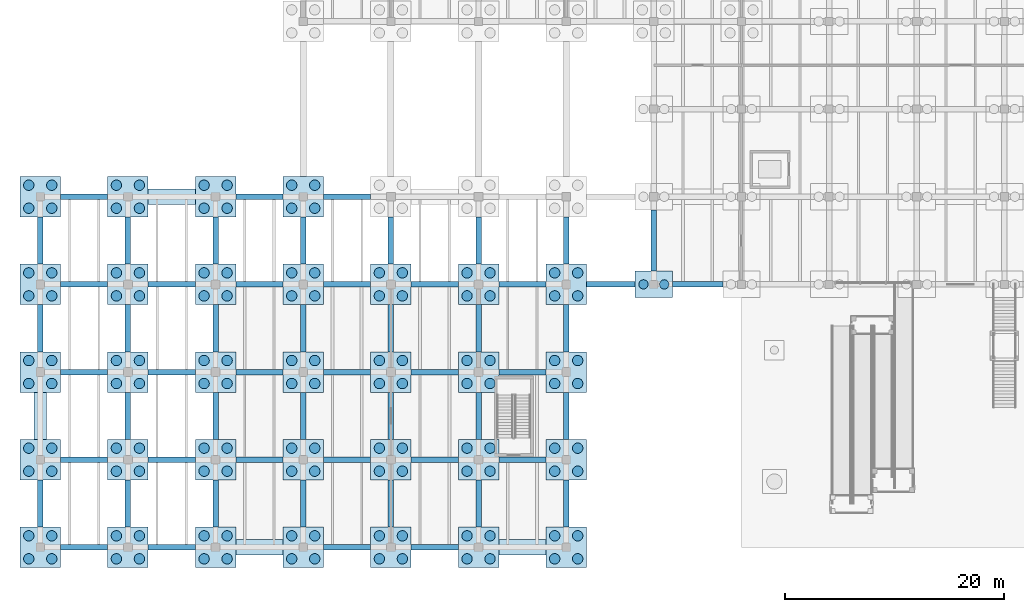
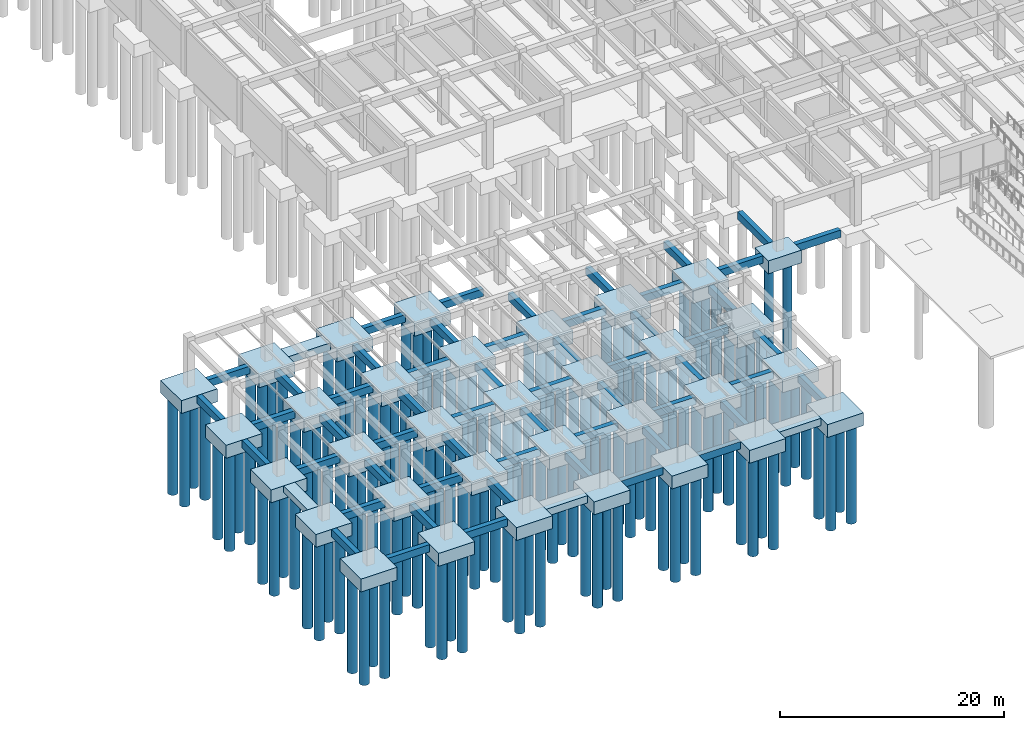
# One storey, part 1 of 44: 130 piles, 92 footings.
"""IFC4 building model written with IfcOpenShell, lengths in metres."""

from ifc_helpers import new_model, si_unit, direction, frame, origin, origin_2d, place, context, subcontext, project, spatial, rectangle, circle, extrude, material, material_profile, profile_set, type_object, element, save


model = new_model("IFC4")

# Units and contexts
model_context = context("Model", 3, precision=1e-05, world=origin(), true_north=direction((0.0, 1.0)))
body_context = subcontext(model_context, "Body", "Model", "MODEL_VIEW")
ifc_project = project(units=[si_unit("LENGTHUNIT", "METRE"), si_unit("AREAUNIT", "SQUARE_METRE"), si_unit("VOLUMEUNIT", "CUBIC_METRE"), si_unit("PLANEANGLEUNIT", "RADIAN"), si_unit("MASSUNIT", "GRAM", prefix="KILO")], contexts=[model_context])

# Site, building, storey
site_placement = place(None, origin())
site = spatial("IfcSite", under=ifc_project, at=site_placement, CompositionType="ELEMENT")
building_placement = place(site_placement, origin())
building = spatial("IfcBuilding", under=site, at=building_placement, Name="Pecanmere Concourse Central Library", CompositionType="ELEMENT")
storey_placement = place(building_placement, frame((0.0, 0.0, -5.39990234375)))
storey = spatial("IfcBuildingStorey", under=building, at=storey_placement, Name="B1", CompositionType="ELEMENT", Elevation=-5.39990234375)

# Footings
ifc_material_1 = material(Name="Concrete C40/50", Category="concrete")
ifc_material_profile_1 = material_profile(ifc_material_1, rectangle(XDim=0.5, YDim=0.800048828125, at=origin_2d()), Name="RC 500x800")
ifc_profile_set_1 = profile_set([ifc_material_profile_1], Name="Concrete C40/50")
footing_type_1 = type_object("IfcFootingType", Name="GBEAM_500x800", PredefinedType="FOOTING_BEAM", material=ifc_profile_set_1)
for number, where, z_axis, x_axis, name in (
    (1, (4.0, 0.0, -0.80029296875), (0.0, 0.0, 1.0), (1.0, 0.0, 0.0), "Foundation Tie Beam X-001"),
    (2, (12.0, 0.0, -0.80029296875), (0.0, 0.0, 1.0), (1.0, 0.0, 0.0), "Foundation Tie Beam X-002"),
    (3, (28.0, 0.0, -0.80029296875), (0.0, 0.0, 1.0), (1.0, 0.0, 0.0), "Foundation Tie Beam X-004"),
    (4, (36.0, 0.0, -0.80029296875), (0.0, 0.0, 1.0), (1.0, 0.0, 0.0), "Foundation Tie Beam X-005"),
    (5, (4.0, 8.0, -0.80029296875), (0.0, 0.0, 1.0), (1.0, 0.0, 0.0), "Foundation Tie Beam X-013"),
    (6, (12.0, 8.0, -0.80029296875), (0.0, 0.0, 1.0), (1.0, 0.0, 0.0), "Foundation Tie Beam X-014"),
    (7, (20.0, 8.0, -0.80029296875), (0.0, 0.0, 1.0), (1.0, 0.0, 0.0), "Foundation Tie Beam X-015"),
    (8, (28.0, 8.0, -0.80029296875), (0.0, 0.0, 1.0), (1.0, 0.0, 0.0), "Foundation Tie Beam X-016"),
    (9, (36.0, 8.0, -0.80029296875), (0.0, 0.0, 1.0), (1.0, 0.0, 0.0), "Foundation Tie Beam X-017"),
    (10, (44.0, 8.0, -0.80029296875), (0.0, 0.0, 1.0), (1.0, 0.0, 0.0), "Foundation Tie Beam X-018"),
    (11, (4.0, 16.0, -0.80029296875), (0.0, 0.0, 1.0), (1.0, 0.0, 0.0), "Foundation Tie Beam X-025"),
    (12, (12.0, 16.0, -0.80029296875), (0.0, 0.0, 1.0), (1.0, 0.0, 0.0), "Foundation Tie Beam X-026"),
    (13, (20.0, 16.0, -0.80029296875), (0.0, 0.0, 1.0), (1.0, 0.0, 0.0), "Foundation Tie Beam X-027"),
    (14, (28.0, 16.0, -0.80029296875), (0.0, 0.0, 1.0), (1.0, 0.0, 0.0), "Foundation Tie Beam X-028"),
    (15, (36.0, 16.0, -0.80029296875), (0.0, 0.0, 1.0), (1.0, 0.0, 0.0), "Foundation Tie Beam X-029"),
    (16, (44.0, 16.0, -0.80029296875), (0.0, 0.0, 1.0), (1.0, 0.0, 0.0), "Foundation Tie Beam X-030"),
    (17, (4.0, 24.0, -0.80029296875), (0.0, 0.0, 1.0), (1.0, 0.0, 0.0), "Foundation Tie Beam X-037"),
    (18, (12.0, 24.0, -0.80029296875), (0.0, 0.0, 1.0), (1.0, 0.0, 0.0), "Foundation Tie Beam X-038"),
    (19, (20.0, 24.0, -0.80029296875), (0.0, 0.0, 1.0), (1.0, 0.0, 0.0), "Foundation Tie Beam X-039"),
    (20, (28.0, 24.0, -0.80029296875), (0.0, 0.0, 1.0), (1.0, 0.0, 0.0), "Foundation Tie Beam X-040"),
    (21, (36.0, 24.0, -0.80029296875), (0.0, 0.0, 1.0), (1.0, 0.0, 0.0), "Foundation Tie Beam X-041"),
    (22, (44.0, 24.0, -0.80029296875), (0.0, 0.0, 1.0), (1.0, 0.0, 0.0), "Foundation Tie Beam X-042"),
):
    element("IfcFooting", number, at=place(storey_placement, frame(where, z_axis=z_axis, x_axis=x_axis)), inside=storey, type_object=footing_type_1, Name=name, PredefinedType="FOOTING_BEAM", context=body_context, shape_type="SweptSolid", body=[
        extrude(rectangle(XDim=4.300048828125, YDim=0.5, at=origin_2d()), origin(), (0.0, 0.0, 1.0), 0.800048828125),
    ])
footing_1_placement = place(storey_placement, frame((52.074951171875, 24.0, -0.80029296875), z_axis=(0.0, 0.0, 1.0), x_axis=(1.0, 0.0, 0.0)))
element("IfcFooting", 23, at=footing_1_placement, inside=storey, type_object=footing_type_1, Name="Foundation Tie Beam X-043", PredefinedType="FOOTING_BEAM", context=body_context, shape_type="SweptSolid", body=[
    extrude(rectangle(XDim=4.449951171875, YDim=0.5, at=origin_2d()), origin(), (0.0, 0.0, 1.0), 0.800048828125),
])
footing_2_placement = place(storey_placement, frame((60.0, 24.0, -0.80029296875), z_axis=(0.0, 0.0, 1.0), x_axis=(1.0, 0.0, 0.0)))
element("IfcFooting", 24, at=footing_2_placement, inside=storey, type_object=footing_type_1, Name="Foundation Tie Beam X-044", PredefinedType="FOOTING_BEAM", context=body_context, shape_type="SweptSolid", body=[
    extrude(rectangle(XDim=4.60009765625, YDim=0.5, at=origin_2d()), origin(), (0.0, 0.0, 1.0), 0.800048828125),
])
for number, where, z_axis, x_axis, name in (
    (25, (4.0, 32.0, -0.80029296875), (0.0, 0.0, 1.0), (1.0, 0.0, 0.0), "Foundation Tie Beam X-059"),
    (26, (20.0, 32.0, -0.80029296875), (0.0, 0.0, 1.0), (1.0, 0.0, 0.0), "Foundation Tie Beam X-061"),
    (27, (28.0, 32.0, -0.80029296875), (0.0, 0.0, 1.0), (1.0, 0.0, 0.0), "Foundation Tie Beam X-062"),
    (28, (0.0, 4.0, -0.80029296875), (0.0, 0.0, 1.0), (0.0, 1.0, 0.0), "Foundation Tie Beam Y-221"),
    (29, (0.0, 20.0, -0.80029296875), (0.0, 0.0, 1.0), (0.0, 1.0, 0.0), "Foundation Tie Beam Y-223"),
    (30, (0.0, 28.0, -0.80029296875), (0.0, 0.0, 1.0), (0.0, 1.0, 0.0), "Foundation Tie Beam Y-224"),
    (31, (8.0, 4.0, -0.80029296875), (0.0, 0.0, 1.0), (0.0, 1.0, 0.0), "Foundation Tie Beam Y-225"),
    (32, (8.0, 12.0, -0.80029296875), (0.0, 0.0, 1.0), (0.0, 1.0, 0.0), "Foundation Tie Beam Y-226"),
    (33, (8.0, 20.0, -0.80029296875), (0.0, 0.0, 1.0), (0.0, 1.0, 0.0), "Foundation Tie Beam Y-227"),
    (34, (8.0, 28.0, -0.80029296875), (0.0, 0.0, 1.0), (0.0, 1.0, 0.0), "Foundation Tie Beam Y-228"),
    (35, (16.0, 4.0, -0.80029296875), (0.0, 0.0, 1.0), (0.0, 1.0, 0.0), "Foundation Tie Beam Y-229"),
    (36, (16.0, 12.0, -0.80029296875), (0.0, 0.0, 1.0), (0.0, 1.0, 0.0), "Foundation Tie Beam Y-230"),
    (37, (16.0, 20.0, -0.80029296875), (0.0, 0.0, 1.0), (0.0, 1.0, 0.0), "Foundation Tie Beam Y-231"),
    (38, (16.0, 28.0, -0.80029296875), (0.0, 0.0, 1.0), (0.0, 1.0, 0.0), "Foundation Tie Beam Y-232"),
    (39, (24.0, 4.0, -0.80029296875), (0.0, 0.0, 1.0), (0.0, 1.0, 0.0), "Foundation Tie Beam Y-233"),
    (40, (24.0, 12.0, -0.80029296875), (0.0, 0.0, 1.0), (0.0, 1.0, 0.0), "Foundation Tie Beam Y-234"),
    (41, (24.0, 20.0, -0.80029296875), (0.0, 0.0, 1.0), (0.0, 1.0, 0.0), "Foundation Tie Beam Y-235"),
    (42, (24.0, 28.0, -0.80029296875), (0.0, 0.0, 1.0), (0.0, 1.0, 0.0), "Foundation Tie Beam Y-236"),
    (43, (32.0, 4.0, -0.80029296875), (0.0, 0.0, 1.0), (0.0, 1.0, 0.0), "Foundation Tie Beam Y-245"),
    (44, (32.0, 12.0, -0.80029296875), (0.0, 0.0, 1.0), (0.0, 1.0, 0.0), "Foundation Tie Beam Y-246"),
    (45, (32.0, 20.0, -0.80029296875), (0.0, 0.0, 1.0), (0.0, 1.0, 0.0), "Foundation Tie Beam Y-247"),
    (46, (32.0, 28.0, -0.80029296875), (0.0, 0.0, 1.0), (0.0, 1.0, 0.0), "Foundation Tie Beam Y-248"),
    (47, (40.0, 4.0, -0.80029296875), (0.0, 0.0, 1.0), (0.0, 1.0, 0.0), "Foundation Tie Beam Y-257"),
    (48, (40.0, 12.0, -0.80029296875), (0.0, 0.0, 1.0), (0.0, 1.0, 0.0), "Foundation Tie Beam Y-258"),
    (49, (40.0, 20.0, -0.80029296875), (0.0, 0.0, 1.0), (0.0, 1.0, 0.0), "Foundation Tie Beam Y-259"),
    (50, (40.0, 28.0, -0.80029296875), (0.0, 0.0, 1.0), (0.0, 1.0, 0.0), "Foundation Tie Beam Y-260"),
    (51, (48.0, 4.0, -0.80029296875), (0.0, 0.0, 1.0), (0.0, 1.0, 0.0), "Foundation Tie Beam Y-266"),
    (52, (48.0, 12.0, -0.80029296875), (0.0, 0.0, 1.0), (0.0, 1.0, 0.0), "Foundation Tie Beam Y-267"),
    (53, (48.0, 20.0, -0.80029296875), (0.0, 0.0, 1.0), (0.0, 1.0, 0.0), "Foundation Tie Beam Y-268"),
    (54, (48.0, 28.0, -0.80029296875), (0.0, 0.0, 1.0), (0.0, 1.0, 0.0), "Foundation Tie Beam Y-269"),
):
    element("IfcFooting", number, at=place(storey_placement, frame(where, z_axis=z_axis, x_axis=x_axis)), inside=storey, type_object=footing_type_1, Name=name, PredefinedType="FOOTING_BEAM", context=body_context, shape_type="SweptSolid", body=[
        extrude(rectangle(XDim=4.300048828125, YDim=0.5, at=origin_2d()), origin(), (0.0, 0.0, 1.0), 0.800048828125),
    ])
footing_3_placement = place(storey_placement, frame((56.0, 28.0, -0.80029296875), z_axis=(0.0, 0.0, 1.0), x_axis=(0.0, 1.0, 0.0)))
element("IfcFooting", 55, at=footing_3_placement, inside=storey, type_object=footing_type_1, Name="Foundation Tie Beam Y-278", PredefinedType="FOOTING_BEAM", context=body_context, shape_type="SweptSolid", body=[
    extrude(rectangle(XDim=5.60009765625, YDim=0.5, at=origin_2d()), origin(), (0.0, 0.0, 1.0), 0.800048828125),
])
ifc_material_2 = material(Name="Concrete C40/50", Category="concrete")
footing_type_2 = type_object("IfcFootingType", Name="PCAP_3400x2400", PredefinedType="PILE_CAP", material=ifc_material_2)
footing_4_placement = place(storey_placement, frame((56.0, 24.0, -1.400146484375), z_axis=(0.0, 0.0, 1.0), x_axis=(1.0, 0.0, 0.0)))
element("IfcFooting", 56, at=footing_4_placement, inside=storey, type_object=footing_type_2, Name="Drilled Pier Cap PC-05 at (56,24)", PredefinedType="PILE_CAP", context=body_context, shape_type="SweptSolid", body=[
    extrude(rectangle(XDim=3.39990234375, YDim=2.39990234375, at=origin_2d()), origin(), (0.0, 0.0, 1.0), 1.39990234375),
])
ifc_material_3 = material(Name="Concrete C40/50", Category="concrete")
footing_type_3 = type_object("IfcFootingType", Name="PCAP_3700x3700", PredefinedType="PILE_CAP", material=ifc_material_3)
for number, where, z_axis, x_axis, name in (
    (57, (0.0, 0.0, -1.400146484375), (0.0, 0.0, 1.0), (1.0, 0.0, 0.0), "Drilled Pier Cap PC-03 at (0,0)"),
    (58, (0.0, 8.0, -1.400146484375), (0.0, 0.0, 1.0), (1.0, 0.0, 0.0), "Drilled Pier Cap PC-03 at (0,8)"),
    (59, (0.0, 16.0, -1.400146484375), (0.0, 0.0, 1.0), (1.0, 0.0, 0.0), "Drilled Pier Cap PC-03 at (0,16)"),
    (60, (0.0, 24.0, -1.400146484375), (0.0, 0.0, 1.0), (1.0, 0.0, 0.0), "Drilled Pier Cap PC-03 at (0,24)"),
    (61, (0.0, 32.0, -1.400146484375), (0.0, 0.0, 1.0), (1.0, 0.0, 0.0), "Drilled Pier Cap PC-03 at (0,32)"),
    (62, (8.0, 0.0, -1.400146484375), (0.0, 0.0, 1.0), (1.0, 0.0, 0.0), "Drilled Pier Cap PC-03 at (8,0)"),
    (63, (8.0, 8.0, -1.400146484375), (0.0, 0.0, 1.0), (1.0, 0.0, 0.0), "Drilled Pier Cap PC-03 at (8,8)"),
    (64, (8.0, 16.0, -1.400146484375), (0.0, 0.0, 1.0), (1.0, 0.0, 0.0), "Drilled Pier Cap PC-03 at (8,16)"),
    (65, (8.0, 24.0, -1.400146484375), (0.0, 0.0, 1.0), (1.0, 0.0, 0.0), "Drilled Pier Cap PC-03 at (8,24)"),
    (66, (8.0, 32.0, -1.400146484375), (0.0, 0.0, 1.0), (1.0, 0.0, 0.0), "Drilled Pier Cap PC-03 at (8,32)"),
    (67, (16.0, 0.0, -1.400146484375), (0.0, 0.0, 1.0), (1.0, 0.0, 0.0), "Drilled Pier Cap PC-03 at (16,0)"),
    (68, (16.0, 8.0, -1.400146484375), (0.0, 0.0, 1.0), (1.0, 0.0, 0.0), "Drilled Pier Cap PC-03 at (16,8)"),
    (69, (16.0, 16.0, -1.400146484375), (0.0, 0.0, 1.0), (1.0, 0.0, 0.0), "Drilled Pier Cap PC-03 at (16,16)"),
    (70, (16.0, 24.0, -1.400146484375), (0.0, 0.0, 1.0), (1.0, 0.0, 0.0), "Drilled Pier Cap PC-03 at (16,24)"),
    (71, (16.0, 32.0, -1.400146484375), (0.0, 0.0, 1.0), (1.0, 0.0, 0.0), "Drilled Pier Cap PC-03 at (16,32)"),
    (72, (24.0, 0.0, -1.400146484375), (0.0, 0.0, 1.0), (1.0, 0.0, 0.0), "Drilled Pier Cap PC-03 at (24,0)"),
    (73, (24.0, 8.0, -1.400146484375), (0.0, 0.0, 1.0), (1.0, 0.0, 0.0), "Drilled Pier Cap PC-03 at (24,8)"),
    (74, (24.0, 16.0, -1.400146484375), (0.0, 0.0, 1.0), (1.0, 0.0, 0.0), "Drilled Pier Cap PC-03 at (24,16)"),
    (75, (24.0, 24.0, -1.400146484375), (0.0, 0.0, 1.0), (1.0, 0.0, 0.0), "Drilled Pier Cap PC-03 at (24,24)"),
    (76, (24.0, 32.0, -1.400146484375), (0.0, 0.0, 1.0), (1.0, 0.0, 0.0), "Drilled Pier Cap PC-03 at (24,32)"),
    (77, (32.0, 0.0, -1.400146484375), (0.0, 0.0, 1.0), (1.0, 0.0, 0.0), "Drilled Pier Cap PC-03 at (32,0)"),
    (78, (32.0, 8.0, -1.400146484375), (0.0, 0.0, 1.0), (1.0, 0.0, 0.0), "Drilled Pier Cap PC-03 at (32,8)"),
    (79, (32.0, 16.0, -1.400146484375), (0.0, 0.0, 1.0), (1.0, 0.0, 0.0), "Drilled Pier Cap PC-03 at (32,16)"),
    (80, (32.0, 24.0, -1.400146484375), (0.0, 0.0, 1.0), (1.0, 0.0, 0.0), "Drilled Pier Cap PC-03 at (32,24)"),
    (81, (40.0, 0.0, -1.400146484375), (0.0, 0.0, 1.0), (1.0, 0.0, 0.0), "Drilled Pier Cap PC-03 at (40,0)"),
    (82, (40.0, 8.0, -1.400146484375), (0.0, 0.0, 1.0), (1.0, 0.0, 0.0), "Drilled Pier Cap PC-03 at (40,8)"),
    (83, (40.0, 16.0, -1.400146484375), (0.0, 0.0, 1.0), (1.0, 0.0, 0.0), "Drilled Pier Cap PC-03 at (40,16)"),
    (84, (40.0, 24.0, -1.400146484375), (0.0, 0.0, 1.0), (1.0, 0.0, 0.0), "Drilled Pier Cap PC-03 at (40,24)"),
    (85, (48.0, 0.0, -1.400146484375), (0.0, 0.0, 1.0), (1.0, 0.0, 0.0), "Drilled Pier Cap PC-03 at (48,0)"),
    (86, (48.0, 8.0, -1.400146484375), (0.0, 0.0, 1.0), (1.0, 0.0, 0.0), "Drilled Pier Cap PC-03 at (48,8)"),
    (87, (48.0, 16.0, -1.400146484375), (0.0, 0.0, 1.0), (1.0, 0.0, 0.0), "Drilled Pier Cap PC-03 at (48,16)"),
    (88, (48.0, 24.0, -1.400146484375), (0.0, 0.0, 1.0), (1.0, 0.0, 0.0), "Drilled Pier Cap PC-03 at (48,24)"),
):
    element("IfcFooting", number, at=place(storey_placement, frame(where, z_axis=z_axis, x_axis=x_axis)), inside=storey, type_object=footing_type_3, Name=name, PredefinedType="PILE_CAP", context=body_context, shape_type="SweptSolid", body=[
        extrude(rectangle(XDim=3.699951171875, YDim=3.699951171875, at=origin_2d()), origin(), (0.0, 0.0, 1.0), 1.39990234375),
    ])

# Piles
ifc_material_4 = material(Name="Concrete C35/45", Category="concrete")
ifc_material_profile_2 = material_profile(ifc_material_4, circle(Radius=0.425048828125, at=origin_2d()), Name="PIER D850")
ifc_profile_set_2 = profile_set([ifc_material_profile_2], Name="Concrete C35/45")
pile_type_1 = type_object("IfcPileType", Name="PILE_D850", PredefinedType="BORED", material=ifc_profile_set_2)
for number, where, z_axis, x_axis, name in (
    (89, (55.050048828125, 24.0, -1.300048828125), (0.0, 0.0, -1.0), (1.0, 0.0, 0.0), "Bored Pier PL-05 066.1"),
    (90, (56.949951171875, 24.0, -1.300048828125), (0.0, 0.0, -1.0), (1.0, 0.0, 0.0), "Bored Pier PL-05 066.2"),
):
    element("IfcPile", number, at=place(storey_placement, frame(where, z_axis=z_axis, x_axis=x_axis)), inside=storey, type_object=pile_type_1, Name=name, PredefinedType="BORED", context=body_context, shape_type="SweptSolid", body=[
        extrude(circle(Radius=0.425048828125, at=origin_2d()), origin(), (0.0, 0.0, 1.0), 10.699951171875),
    ])
ifc_material_5 = material(Name="Concrete C35/45", Category="concrete")
ifc_material_profile_3 = material_profile(ifc_material_5, circle(Radius=0.47509765625, at=origin_2d()), Name="PIER D950")
ifc_profile_set_3 = profile_set([ifc_material_profile_3], Name="Concrete C35/45")
pile_type_2 = type_object("IfcPileType", Name="PILE_D950", PredefinedType="BORED", material=ifc_profile_set_3)
for number, where, z_axis, x_axis, name in (
    (91, (-1.050048828125, -1.050048828125, -1.300048828125), (0.0, 0.0, -1.0), (1.0, 0.0, 0.0), "Bored Pier PL-04 001.1"),
    (92, (1.050048828125, -1.050048828125, -1.300048828125), (0.0, 0.0, -1.0), (1.0, 0.0, 0.0), "Bored Pier PL-04 001.2"),
    (93, (-1.050048828125, 1.050048828125, -1.300048828125), (0.0, 0.0, -1.0), (1.0, 0.0, 0.0), "Bored Pier PL-04 001.3"),
    (94, (1.050048828125, 1.050048828125, -1.300048828125), (0.0, 0.0, -1.0), (1.0, 0.0, 0.0), "Bored Pier PL-04 001.4"),
    (95, (-1.050048828125, 6.949951171875, -1.300048828125), (0.0, 0.0, -1.0), (1.0, 0.0, 0.0), "Bored Pier PL-04 002.1"),
    (96, (1.050048828125, 6.949951171875, -1.300048828125), (0.0, 0.0, -1.0), (1.0, 0.0, 0.0), "Bored Pier PL-04 002.2"),
    (97, (-1.050048828125, 9.050048828125, -1.300048828125), (0.0, 0.0, -1.0), (1.0, 0.0, 0.0), "Bored Pier PL-04 002.3"),
    (98, (1.050048828125, 9.050048828125, -1.300048828125), (0.0, 0.0, -1.0), (1.0, 0.0, 0.0), "Bored Pier PL-04 002.4"),
    (99, (-1.050048828125, 14.949951171875, -1.300048828125), (0.0, 0.0, -1.0), (1.0, 0.0, 0.0), "Bored Pier PL-04 003.1"),
    (100, (1.050048828125, 14.949951171875, -1.300048828125), (0.0, 0.0, -1.0), (1.0, 0.0, 0.0), "Bored Pier PL-04 003.2"),
    (101, (-1.050048828125, 17.050048828125, -1.300048828125), (0.0, 0.0, -1.0), (1.0, 0.0, 0.0), "Bored Pier PL-04 003.3"),
    (102, (1.050048828125, 17.050048828125, -1.300048828125), (0.0, 0.0, -1.0), (1.0, 0.0, 0.0), "Bored Pier PL-04 003.4"),
    (103, (-1.050048828125, 22.949951171875, -1.300048828125), (0.0, 0.0, -1.0), (1.0, 0.0, 0.0), "Bored Pier PL-04 004.1"),
    (104, (1.050048828125, 22.949951171875, -1.300048828125), (0.0, 0.0, -1.0), (1.0, 0.0, 0.0), "Bored Pier PL-04 004.2"),
    (105, (-1.050048828125, 25.050048828125, -1.300048828125), (0.0, 0.0, -1.0), (1.0, 0.0, 0.0), "Bored Pier PL-04 004.3"),
    (106, (1.050048828125, 25.050048828125, -1.300048828125), (0.0, 0.0, -1.0), (1.0, 0.0, 0.0), "Bored Pier PL-04 004.4"),
    (107, (-1.050048828125, 30.949951171875, -1.300048828125), (0.0, 0.0, -1.0), (1.0, 0.0, 0.0), "Bored Pier PL-04 005.1"),
    (108, (1.050048828125, 30.949951171875, -1.300048828125), (0.0, 0.0, -1.0), (1.0, 0.0, 0.0), "Bored Pier PL-04 005.2"),
    (109, (-1.050048828125, 33.050048828125, -1.300048828125), (0.0, 0.0, -1.0), (1.0, 0.0, 0.0), "Bored Pier PL-04 005.3"),
    (110, (1.050048828125, 33.050048828125, -1.300048828125), (0.0, 0.0, -1.0), (1.0, 0.0, 0.0), "Bored Pier PL-04 005.4"),
    (111, (6.949951171875, -1.050048828125, -1.300048828125), (0.0, 0.0, -1.0), (1.0, 0.0, 0.0), "Bored Pier PL-04 006.1"),
    (112, (9.050048828125, -1.050048828125, -1.300048828125), (0.0, 0.0, -1.0), (1.0, 0.0, 0.0), "Bored Pier PL-04 006.2"),
    (113, (6.949951171875, 1.050048828125, -1.300048828125), (0.0, 0.0, -1.0), (1.0, 0.0, 0.0), "Bored Pier PL-04 006.3"),
    (114, (9.050048828125, 1.050048828125, -1.300048828125), (0.0, 0.0, -1.0), (1.0, 0.0, 0.0), "Bored Pier PL-04 006.4"),
    (115, (6.949951171875, 6.949951171875, -1.300048828125), (0.0, 0.0, -1.0), (1.0, 0.0, 0.0), "Bored Pier PL-04 007.1"),
    (116, (9.050048828125, 6.949951171875, -1.300048828125), (0.0, 0.0, -1.0), (1.0, 0.0, 0.0), "Bored Pier PL-04 007.2"),
    (117, (6.949951171875, 9.050048828125, -1.300048828125), (0.0, 0.0, -1.0), (1.0, 0.0, 0.0), "Bored Pier PL-04 007.3"),
    (118, (9.050048828125, 9.050048828125, -1.300048828125), (0.0, 0.0, -1.0), (1.0, 0.0, 0.0), "Bored Pier PL-04 007.4"),
    (119, (6.949951171875, 14.949951171875, -1.300048828125), (0.0, 0.0, -1.0), (1.0, 0.0, 0.0), "Bored Pier PL-04 008.1"),
    (120, (9.050048828125, 14.949951171875, -1.300048828125), (0.0, 0.0, -1.0), (1.0, 0.0, 0.0), "Bored Pier PL-04 008.2"),
    (121, (6.949951171875, 17.050048828125, -1.300048828125), (0.0, 0.0, -1.0), (1.0, 0.0, 0.0), "Bored Pier PL-04 008.3"),
    (122, (9.050048828125, 17.050048828125, -1.300048828125), (0.0, 0.0, -1.0), (1.0, 0.0, 0.0), "Bored Pier PL-04 008.4"),
    (123, (6.949951171875, 22.949951171875, -1.300048828125), (0.0, 0.0, -1.0), (1.0, 0.0, 0.0), "Bored Pier PL-04 009.1"),
    (124, (9.050048828125, 22.949951171875, -1.300048828125), (0.0, 0.0, -1.0), (1.0, 0.0, 0.0), "Bored Pier PL-04 009.2"),
    (125, (6.949951171875, 25.050048828125, -1.300048828125), (0.0, 0.0, -1.0), (1.0, 0.0, 0.0), "Bored Pier PL-04 009.3"),
    (126, (9.050048828125, 25.050048828125, -1.300048828125), (0.0, 0.0, -1.0), (1.0, 0.0, 0.0), "Bored Pier PL-04 009.4"),
    (127, (6.949951171875, 30.949951171875, -1.300048828125), (0.0, 0.0, -1.0), (1.0, 0.0, 0.0), "Bored Pier PL-04 010.1"),
    (128, (9.050048828125, 30.949951171875, -1.300048828125), (0.0, 0.0, -1.0), (1.0, 0.0, 0.0), "Bored Pier PL-04 010.2"),
    (129, (6.949951171875, 33.050048828125, -1.300048828125), (0.0, 0.0, -1.0), (1.0, 0.0, 0.0), "Bored Pier PL-04 010.3"),
    (130, (9.050048828125, 33.050048828125, -1.300048828125), (0.0, 0.0, -1.0), (1.0, 0.0, 0.0), "Bored Pier PL-04 010.4"),
    (131, (14.949951171875, -1.050048828125, -1.300048828125), (0.0, 0.0, -1.0), (1.0, 0.0, 0.0), "Bored Pier PL-04 011.1"),
    (132, (17.050048828125, -1.050048828125, -1.300048828125), (0.0, 0.0, -1.0), (1.0, 0.0, 0.0), "Bored Pier PL-04 011.2"),
    (133, (14.949951171875, 1.050048828125, -1.300048828125), (0.0, 0.0, -1.0), (1.0, 0.0, 0.0), "Bored Pier PL-04 011.3"),
    (134, (17.050048828125, 1.050048828125, -1.300048828125), (0.0, 0.0, -1.0), (1.0, 0.0, 0.0), "Bored Pier PL-04 011.4"),
    (135, (14.949951171875, 6.949951171875, -1.300048828125), (0.0, 0.0, -1.0), (1.0, 0.0, 0.0), "Bored Pier PL-04 012.1"),
    (136, (17.050048828125, 6.949951171875, -1.300048828125), (0.0, 0.0, -1.0), (1.0, 0.0, 0.0), "Bored Pier PL-04 012.2"),
    (137, (14.949951171875, 9.050048828125, -1.300048828125), (0.0, 0.0, -1.0), (1.0, 0.0, 0.0), "Bored Pier PL-04 012.3"),
    (138, (17.050048828125, 9.050048828125, -1.300048828125), (0.0, 0.0, -1.0), (1.0, 0.0, 0.0), "Bored Pier PL-04 012.4"),
    (139, (14.949951171875, 14.949951171875, -1.300048828125), (0.0, 0.0, -1.0), (1.0, 0.0, 0.0), "Bored Pier PL-04 013.1"),
    (140, (17.050048828125, 14.949951171875, -1.300048828125), (0.0, 0.0, -1.0), (1.0, 0.0, 0.0), "Bored Pier PL-04 013.2"),
    (141, (14.949951171875, 17.050048828125, -1.300048828125), (0.0, 0.0, -1.0), (1.0, 0.0, 0.0), "Bored Pier PL-04 013.3"),
    (142, (17.050048828125, 17.050048828125, -1.300048828125), (0.0, 0.0, -1.0), (1.0, 0.0, 0.0), "Bored Pier PL-04 013.4"),
    (143, (14.949951171875, 22.949951171875, -1.300048828125), (0.0, 0.0, -1.0), (1.0, 0.0, 0.0), "Bored Pier PL-04 014.1"),
    (144, (17.050048828125, 22.949951171875, -1.300048828125), (0.0, 0.0, -1.0), (1.0, 0.0, 0.0), "Bored Pier PL-04 014.2"),
    (145, (14.949951171875, 25.050048828125, -1.300048828125), (0.0, 0.0, -1.0), (1.0, 0.0, 0.0), "Bored Pier PL-04 014.3"),
    (146, (17.050048828125, 25.050048828125, -1.300048828125), (0.0, 0.0, -1.0), (1.0, 0.0, 0.0), "Bored Pier PL-04 014.4"),
    (147, (14.949951171875, 30.949951171875, -1.300048828125), (0.0, 0.0, -1.0), (1.0, 0.0, 0.0), "Bored Pier PL-04 015.1"),
    (148, (17.050048828125, 30.949951171875, -1.300048828125), (0.0, 0.0, -1.0), (1.0, 0.0, 0.0), "Bored Pier PL-04 015.2"),
    (149, (14.949951171875, 33.050048828125, -1.300048828125), (0.0, 0.0, -1.0), (1.0, 0.0, 0.0), "Bored Pier PL-04 015.3"),
    (150, (17.050048828125, 33.050048828125, -1.300048828125), (0.0, 0.0, -1.0), (1.0, 0.0, 0.0), "Bored Pier PL-04 015.4"),
    (151, (22.949951171875, -1.050048828125, -1.300048828125), (0.0, 0.0, -1.0), (1.0, 0.0, 0.0), "Bored Pier PL-04 016.1"),
    (152, (25.050048828125, -1.050048828125, -1.300048828125), (0.0, 0.0, -1.0), (1.0, 0.0, 0.0), "Bored Pier PL-04 016.2"),
    (153, (22.949951171875, 1.050048828125, -1.300048828125), (0.0, 0.0, -1.0), (1.0, 0.0, 0.0), "Bored Pier PL-04 016.3"),
    (154, (25.050048828125, 1.050048828125, -1.300048828125), (0.0, 0.0, -1.0), (1.0, 0.0, 0.0), "Bored Pier PL-04 016.4"),
    (155, (22.949951171875, 6.949951171875, -1.300048828125), (0.0, 0.0, -1.0), (1.0, 0.0, 0.0), "Bored Pier PL-04 017.1"),
    (156, (25.050048828125, 6.949951171875, -1.300048828125), (0.0, 0.0, -1.0), (1.0, 0.0, 0.0), "Bored Pier PL-04 017.2"),
    (157, (22.949951171875, 9.050048828125, -1.300048828125), (0.0, 0.0, -1.0), (1.0, 0.0, 0.0), "Bored Pier PL-04 017.3"),
    (158, (25.050048828125, 9.050048828125, -1.300048828125), (0.0, 0.0, -1.0), (1.0, 0.0, 0.0), "Bored Pier PL-04 017.4"),
    (159, (22.949951171875, 14.949951171875, -1.300048828125), (0.0, 0.0, -1.0), (1.0, 0.0, 0.0), "Bored Pier PL-04 018.1"),
    (160, (25.050048828125, 14.949951171875, -1.300048828125), (0.0, 0.0, -1.0), (1.0, 0.0, 0.0), "Bored Pier PL-04 018.2"),
    (161, (22.949951171875, 17.050048828125, -1.300048828125), (0.0, 0.0, -1.0), (1.0, 0.0, 0.0), "Bored Pier PL-04 018.3"),
    (162, (25.050048828125, 17.050048828125, -1.300048828125), (0.0, 0.0, -1.0), (1.0, 0.0, 0.0), "Bored Pier PL-04 018.4"),
    (163, (22.949951171875, 22.949951171875, -1.300048828125), (0.0, 0.0, -1.0), (1.0, 0.0, 0.0), "Bored Pier PL-04 019.1"),
    (164, (25.050048828125, 22.949951171875, -1.300048828125), (0.0, 0.0, -1.0), (1.0, 0.0, 0.0), "Bored Pier PL-04 019.2"),
    (165, (22.949951171875, 25.050048828125, -1.300048828125), (0.0, 0.0, -1.0), (1.0, 0.0, 0.0), "Bored Pier PL-04 019.3"),
    (166, (25.050048828125, 25.050048828125, -1.300048828125), (0.0, 0.0, -1.0), (1.0, 0.0, 0.0), "Bored Pier PL-04 019.4"),
    (167, (22.949951171875, 30.949951171875, -1.300048828125), (0.0, 0.0, -1.0), (1.0, 0.0, 0.0), "Bored Pier PL-04 020.1"),
    (168, (25.050048828125, 30.949951171875, -1.300048828125), (0.0, 0.0, -1.0), (1.0, 0.0, 0.0), "Bored Pier PL-04 020.2"),
    (169, (22.949951171875, 33.050048828125, -1.300048828125), (0.0, 0.0, -1.0), (1.0, 0.0, 0.0), "Bored Pier PL-04 020.3"),
    (170, (25.050048828125, 33.050048828125, -1.300048828125), (0.0, 0.0, -1.0), (1.0, 0.0, 0.0), "Bored Pier PL-04 020.4"),
    (171, (30.949951171875, -1.050048828125, -1.300048828125), (0.0, 0.0, -1.0), (1.0, 0.0, 0.0), "Bored Pier PL-04 029.1"),
    (172, (33.050048828125, -1.050048828125, -1.300048828125), (0.0, 0.0, -1.0), (1.0, 0.0, 0.0), "Bored Pier PL-04 029.2"),
    (173, (30.949951171875, 1.050048828125, -1.300048828125), (0.0, 0.0, -1.0), (1.0, 0.0, 0.0), "Bored Pier PL-04 029.3"),
    (174, (33.050048828125, 1.050048828125, -1.300048828125), (0.0, 0.0, -1.0), (1.0, 0.0, 0.0), "Bored Pier PL-04 029.4"),
    (175, (30.949951171875, 6.949951171875, -1.300048828125), (0.0, 0.0, -1.0), (1.0, 0.0, 0.0), "Bored Pier PL-04 030.1"),
    (176, (33.050048828125, 6.949951171875, -1.300048828125), (0.0, 0.0, -1.0), (1.0, 0.0, 0.0), "Bored Pier PL-04 030.2"),
    (177, (30.949951171875, 9.050048828125, -1.300048828125), (0.0, 0.0, -1.0), (1.0, 0.0, 0.0), "Bored Pier PL-04 030.3"),
    (178, (33.050048828125, 9.050048828125, -1.300048828125), (0.0, 0.0, -1.0), (1.0, 0.0, 0.0), "Bored Pier PL-04 030.4"),
    (179, (30.949951171875, 14.949951171875, -1.300048828125), (0.0, 0.0, -1.0), (1.0, 0.0, 0.0), "Bored Pier PL-04 031.1"),
    (180, (33.050048828125, 14.949951171875, -1.300048828125), (0.0, 0.0, -1.0), (1.0, 0.0, 0.0), "Bored Pier PL-04 031.2"),
    (181, (30.949951171875, 17.050048828125, -1.300048828125), (0.0, 0.0, -1.0), (1.0, 0.0, 0.0), "Bored Pier PL-04 031.3"),
    (182, (33.050048828125, 17.050048828125, -1.300048828125), (0.0, 0.0, -1.0), (1.0, 0.0, 0.0), "Bored Pier PL-04 031.4"),
    (183, (30.949951171875, 22.949951171875, -1.300048828125), (0.0, 0.0, -1.0), (1.0, 0.0, 0.0), "Bored Pier PL-04 032.1"),
    (184, (33.050048828125, 22.949951171875, -1.300048828125), (0.0, 0.0, -1.0), (1.0, 0.0, 0.0), "Bored Pier PL-04 032.2"),
    (185, (30.949951171875, 25.050048828125, -1.300048828125), (0.0, 0.0, -1.0), (1.0, 0.0, 0.0), "Bored Pier PL-04 032.3"),
    (186, (33.050048828125, 25.050048828125, -1.300048828125), (0.0, 0.0, -1.0), (1.0, 0.0, 0.0), "Bored Pier PL-04 032.4"),
    (187, (38.949951171875, -1.050048828125, -1.300048828125), (0.0, 0.0, -1.0), (1.0, 0.0, 0.0), "Bored Pier PL-04 042.1"),
    (188, (41.050048828125, -1.050048828125, -1.300048828125), (0.0, 0.0, -1.0), (1.0, 0.0, 0.0), "Bored Pier PL-04 042.2"),
    (189, (38.949951171875, 1.050048828125, -1.300048828125), (0.0, 0.0, -1.0), (1.0, 0.0, 0.0), "Bored Pier PL-04 042.3"),
    (190, (41.050048828125, 1.050048828125, -1.300048828125), (0.0, 0.0, -1.0), (1.0, 0.0, 0.0), "Bored Pier PL-04 042.4"),
    (191, (38.949951171875, 6.949951171875, -1.300048828125), (0.0, 0.0, -1.0), (1.0, 0.0, 0.0), "Bored Pier PL-04 043.1"),
    (192, (41.050048828125, 6.949951171875, -1.300048828125), (0.0, 0.0, -1.0), (1.0, 0.0, 0.0), "Bored Pier PL-04 043.2"),
    (193, (38.949951171875, 9.050048828125, -1.300048828125), (0.0, 0.0, -1.0), (1.0, 0.0, 0.0), "Bored Pier PL-04 043.3"),
    (194, (41.050048828125, 9.050048828125, -1.300048828125), (0.0, 0.0, -1.0), (1.0, 0.0, 0.0), "Bored Pier PL-04 043.4"),
    (195, (38.949951171875, 14.949951171875, -1.300048828125), (0.0, 0.0, -1.0), (1.0, 0.0, 0.0), "Bored Pier PL-04 044.1"),
    (196, (41.050048828125, 14.949951171875, -1.300048828125), (0.0, 0.0, -1.0), (1.0, 0.0, 0.0), "Bored Pier PL-04 044.2"),
    (197, (38.949951171875, 17.050048828125, -1.300048828125), (0.0, 0.0, -1.0), (1.0, 0.0, 0.0), "Bored Pier PL-04 044.3"),
    (198, (41.050048828125, 17.050048828125, -1.300048828125), (0.0, 0.0, -1.0), (1.0, 0.0, 0.0), "Bored Pier PL-04 044.4"),
    (199, (38.949951171875, 22.949951171875, -1.300048828125), (0.0, 0.0, -1.0), (1.0, 0.0, 0.0), "Bored Pier PL-04 045.1"),
    (200, (41.050048828125, 22.949951171875, -1.300048828125), (0.0, 0.0, -1.0), (1.0, 0.0, 0.0), "Bored Pier PL-04 045.2"),
    (201, (38.949951171875, 25.050048828125, -1.300048828125), (0.0, 0.0, -1.0), (1.0, 0.0, 0.0), "Bored Pier PL-04 045.3"),
    (202, (41.050048828125, 25.050048828125, -1.300048828125), (0.0, 0.0, -1.0), (1.0, 0.0, 0.0), "Bored Pier PL-04 045.4"),
    (203, (46.949951171875, -1.050048828125, -1.300048828125), (0.0, 0.0, -1.0), (1.0, 0.0, 0.0), "Bored Pier PL-04 053.1"),
    (204, (49.050048828125, -1.050048828125, -1.300048828125), (0.0, 0.0, -1.0), (1.0, 0.0, 0.0), "Bored Pier PL-04 053.2"),
    (205, (46.949951171875, 1.050048828125, -1.300048828125), (0.0, 0.0, -1.0), (1.0, 0.0, 0.0), "Bored Pier PL-04 053.3"),
    (206, (49.050048828125, 1.050048828125, -1.300048828125), (0.0, 0.0, -1.0), (1.0, 0.0, 0.0), "Bored Pier PL-04 053.4"),
    (207, (46.949951171875, 6.949951171875, -1.300048828125), (0.0, 0.0, -1.0), (1.0, 0.0, 0.0), "Bored Pier PL-04 054.1"),
    (208, (49.050048828125, 6.949951171875, -1.300048828125), (0.0, 0.0, -1.0), (1.0, 0.0, 0.0), "Bored Pier PL-04 054.2"),
    (209, (46.949951171875, 9.050048828125, -1.300048828125), (0.0, 0.0, -1.0), (1.0, 0.0, 0.0), "Bored Pier PL-04 054.3"),
    (210, (49.050048828125, 9.050048828125, -1.300048828125), (0.0, 0.0, -1.0), (1.0, 0.0, 0.0), "Bored Pier PL-04 054.4"),
    (211, (46.949951171875, 14.949951171875, -1.300048828125), (0.0, 0.0, -1.0), (1.0, 0.0, 0.0), "Bored Pier PL-04 055.1"),
    (212, (49.050048828125, 14.949951171875, -1.300048828125), (0.0, 0.0, -1.0), (1.0, 0.0, 0.0), "Bored Pier PL-04 055.2"),
    (213, (46.949951171875, 17.050048828125, -1.300048828125), (0.0, 0.0, -1.0), (1.0, 0.0, 0.0), "Bored Pier PL-04 055.3"),
    (214, (49.050048828125, 17.050048828125, -1.300048828125), (0.0, 0.0, -1.0), (1.0, 0.0, 0.0), "Bored Pier PL-04 055.4"),
    (215, (46.949951171875, 22.949951171875, -1.300048828125), (0.0, 0.0, -1.0), (1.0, 0.0, 0.0), "Bored Pier PL-04 056.1"),
    (216, (49.050048828125, 22.949951171875, -1.300048828125), (0.0, 0.0, -1.0), (1.0, 0.0, 0.0), "Bored Pier PL-04 056.2"),
    (217, (46.949951171875, 25.050048828125, -1.300048828125), (0.0, 0.0, -1.0), (1.0, 0.0, 0.0), "Bored Pier PL-04 056.3"),
    (218, (49.050048828125, 25.050048828125, -1.300048828125), (0.0, 0.0, -1.0), (1.0, 0.0, 0.0), "Bored Pier PL-04 056.4"),
):
    element("IfcPile", number, at=place(storey_placement, frame(where, z_axis=z_axis, x_axis=x_axis)), inside=storey, type_object=pile_type_2, Name=name, PredefinedType="BORED", context=body_context, shape_type="SweptSolid", body=[
        extrude(circle(Radius=0.47509765625, at=origin_2d()), origin(), (0.0, 0.0, 1.0), 10.699951171875),
    ])

# Footings
ifc_material_6 = material(Name="Concrete C40/50", Category="concrete")
ifc_material_profile_4 = material_profile(ifc_material_6, rectangle(XDim=1.14990234375, YDim=0.699951171875, at=origin_2d()), Name="RC 1150x700")
ifc_profile_set_4 = profile_set([ifc_material_profile_4], Name="Concrete C40/50")
footing_type_4 = type_object("IfcFootingType", Name="STRIP_1150x700", PredefinedType="STRIP_FOOTING", material=ifc_profile_set_4)
footing_5_placement = place(storey_placement, frame((0.0, 12.0, -0.7001953125), z_axis=(0.0, 0.0, 1.0), x_axis=(0.0, 1.0, 0.0)))
element("IfcFooting", 219, at=footing_5_placement, inside=storey, type_object=footing_type_4, Name="Foundation Tie Beam Y-222", PredefinedType="STRIP_FOOTING", context=body_context, shape_type="SweptSolid", body=[
    extrude(rectangle(XDim=4.300048828125, YDim=1.14990234375, at=origin_2d()), origin(), (0.0, 0.0, 1.0), 0.699951171875),
])
ifc_material_7 = material(Name="Concrete C40/50", Category="concrete")
ifc_material_profile_5 = material_profile(ifc_material_7, rectangle(XDim=1.39990234375, YDim=0.800048828125, at=origin_2d()), Name="RC 1400x800")
ifc_profile_set_5 = profile_set([ifc_material_profile_5], Name="Concrete C40/50")
footing_type_5 = type_object("IfcFootingType", Name="STRIP_1400x800", PredefinedType="STRIP_FOOTING", material=ifc_profile_set_5)
for number, where, z_axis, x_axis, name in (
    (220, (20.0, 0.0, -0.80029296875), (0.0, 0.0, 1.0), (1.0, 0.0, 0.0), "Foundation Tie Beam X-003"),
    (221, (44.0, 0.0, -0.80029296875), (0.0, 0.0, 1.0), (1.0, 0.0, 0.0), "Foundation Tie Beam X-006"),
    (222, (12.0, 32.0, -0.80029296875), (0.0, 0.0, 1.0), (1.0, 0.0, 0.0), "Foundation Tie Beam X-060"),
):
    element("IfcFooting", number, at=place(storey_placement, frame(where, z_axis=z_axis, x_axis=x_axis)), inside=storey, type_object=footing_type_5, Name=name, PredefinedType="STRIP_FOOTING", context=body_context, shape_type="SweptSolid", body=[
        extrude(rectangle(XDim=4.300048828125, YDim=1.39990234375, at=origin_2d()), origin(), (0.0, 0.0, 1.0), 0.800048828125),
    ])

save(model, "model.ifc")
